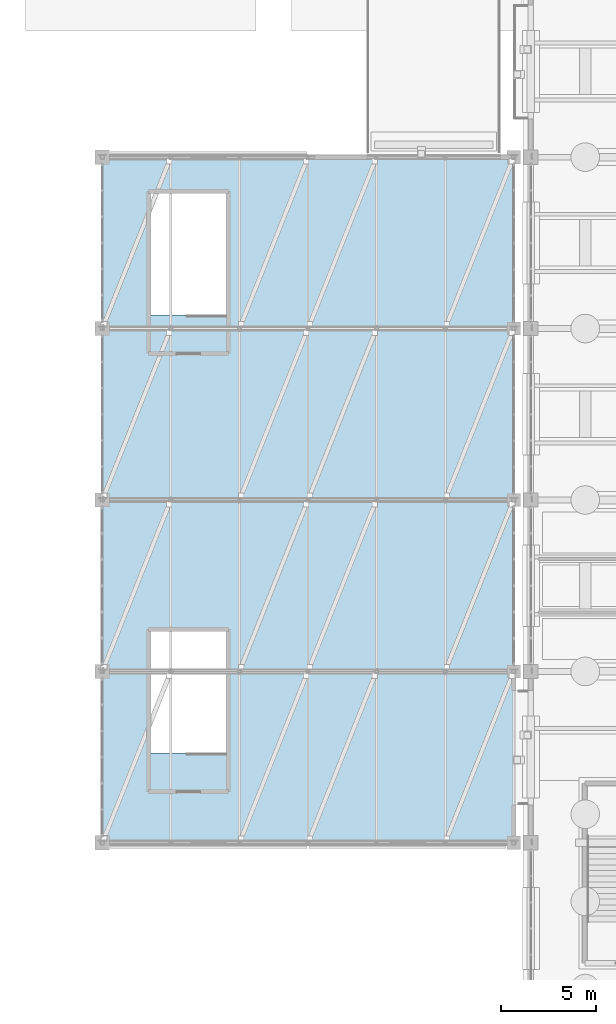
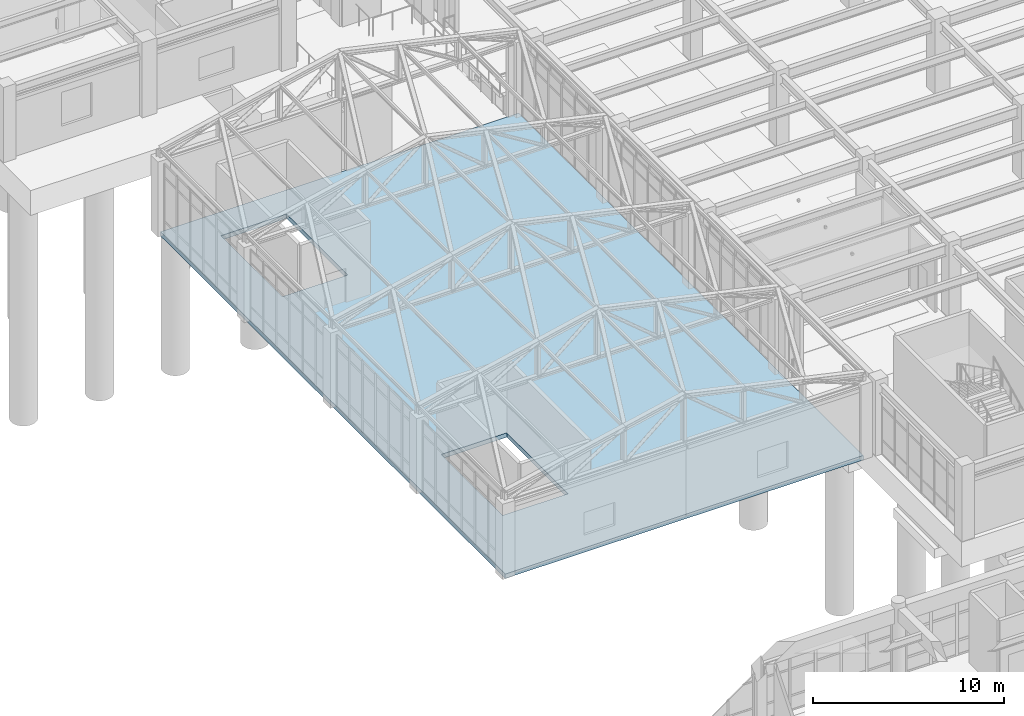
# One storey, part 96 of 139: 1 slab.
"""IFC4 building model written with IfcOpenShell, lengths in metres."""

from ifc_helpers import new_model, si_unit, direction, frame, origin, place, context, subcontext, project, spatial, polyline, outline, extrude, material, layer, layer_set, type_object, element, save


model = new_model("IFC4")

# Units and contexts
model_context = context("Model", 3, precision=1e-05, world=origin(), true_north=direction((0.0, 1.0)))
body_context = subcontext(model_context, "Body", "Model", "MODEL_VIEW")
ifc_project = project(units=[si_unit("LENGTHUNIT", "METRE"), si_unit("AREAUNIT", "SQUARE_METRE"), si_unit("VOLUMEUNIT", "CUBIC_METRE"), si_unit("PLANEANGLEUNIT", "RADIAN"), si_unit("MASSUNIT", "GRAM", prefix="KILO")], contexts=[model_context])

# Site, building, storey
site_placement = place(None, origin())
site = spatial("IfcSite", under=ifc_project, at=site_placement, CompositionType="ELEMENT")
building_placement = place(site_placement, origin())
building = spatial("IfcBuilding", under=site, at=building_placement, Name="Canglan Escarpment Cableway Terminal", CompositionType="ELEMENT")
storey_placement = place(building_placement, frame((0.0, 0.0, 14.39990234375)))
storey = spatial("IfcBuildingStorey", under=building, at=storey_placement, Name="L03", CompositionType="ELEMENT", Elevation=14.39990234375)

# Slab
ifc_material = material(Name="Concrete C40", Category="concrete")
ifc_layer = layer(ifc_material, 0.280029296875, Name="Concrete C40")
ifc_layer_set = layer_set([ifc_layer], Name="Concrete C40")
slab_type = type_object("IfcSlabType", Name="SLB-FLR-280", PredefinedType="FLOOR", material=ifc_layer_set)
slab_placement = place(storey_placement, frame((0.0, 0.0, -0.27978515625)))
element("IfcSlab", 1, at=slab_placement, inside=storey, type_object=slab_type, Name="Suspended structural floor slab L03", PredefinedType="FLOOR", context=body_context, shape_type="SweptSolid", body=[
    extrude(outline(polyline([(115.10009765625, 43.0), (136.699951171875, 43.0), (136.699951171875, 79.0), (115.10009765625, 79.0), (115.10009765625, 43.0)]), holes=[polyline([(121.60009765625, 47.699951171875), (119.550048828125, 47.699951171875), (119.550048828125, 47.7060546875), (117.64990234375, 47.7060546875), (117.64990234375, 54.10009765625), (119.550048828125, 54.10009765625), (119.570068359375, 54.10009765625), (121.60009765625, 54.10009765625), (121.60009765625, 47.699951171875)]), polyline([(121.60009765625, 70.699951171875), (119.550048828125, 70.699951171875), (119.550048828125, 70.7060546875), (117.64990234375, 70.7060546875), (117.64990234375, 77.10009765625), (119.550048828125, 77.10009765625), (119.570068359375, 77.10009765625), (121.60009765625, 77.10009765625), (121.60009765625, 70.699951171875)])]), origin(), (0.0, 0.0, 1.0), 0.27978515625),
])

save(model, "model.ifc")
